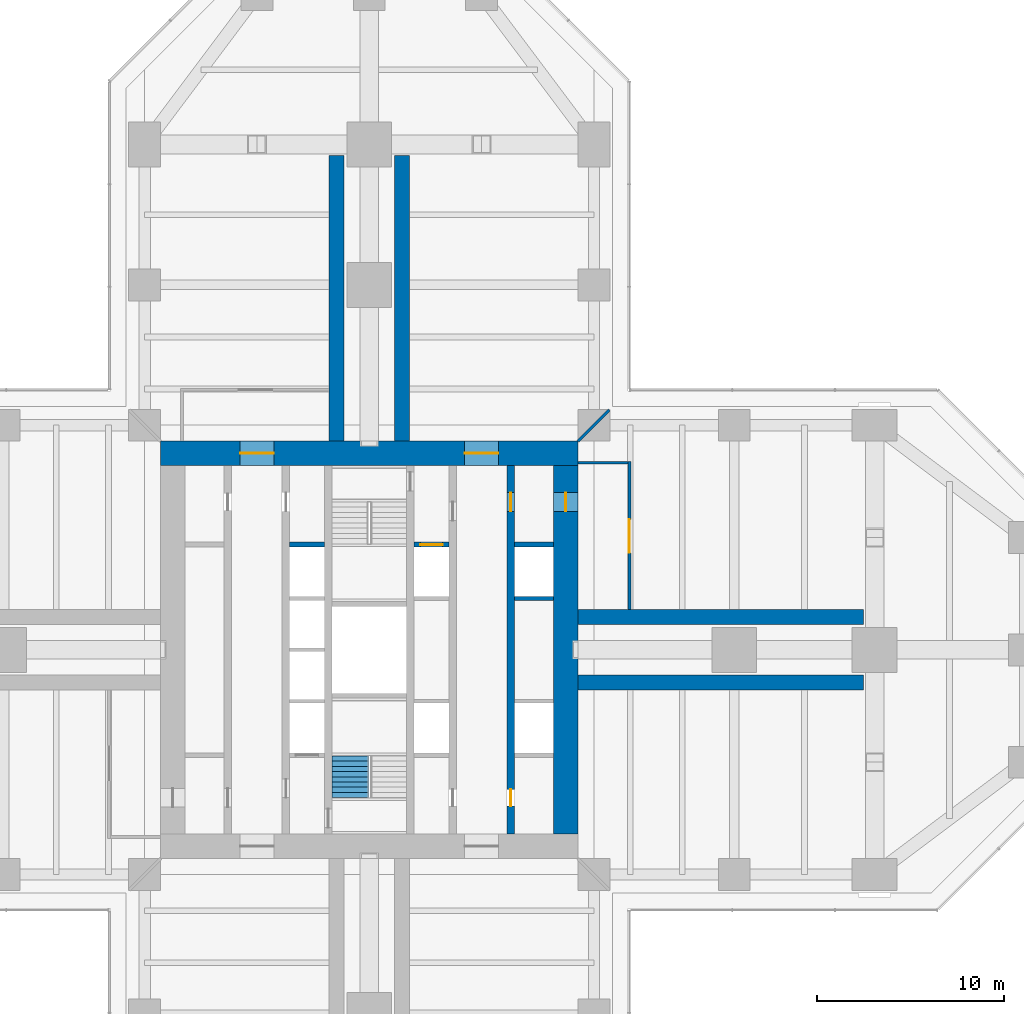
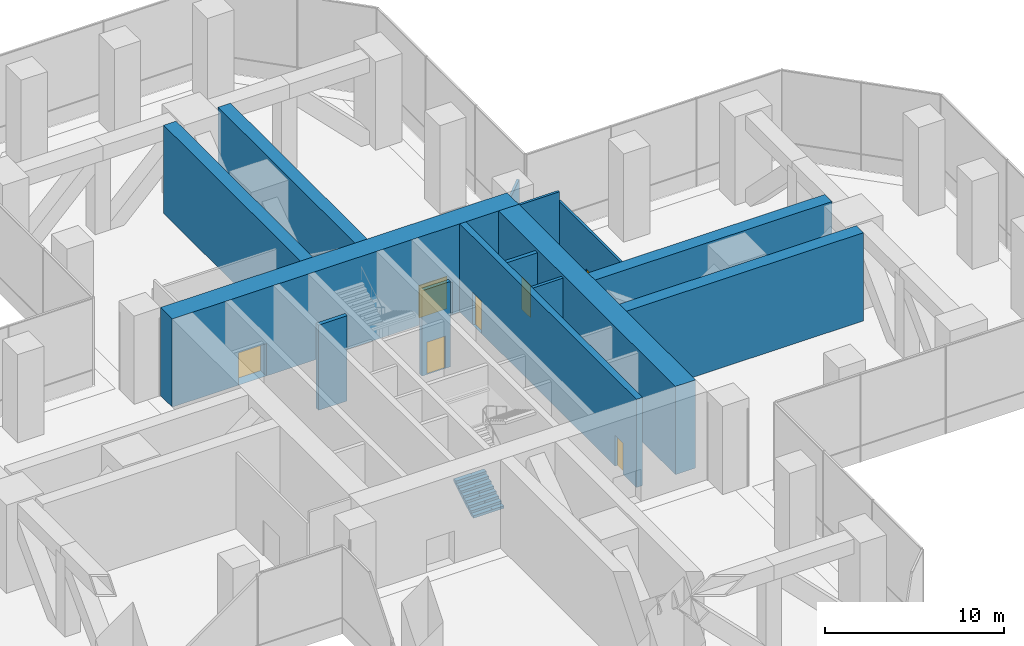
# One storey, part 16 of 20: 14 walls, 7 doors, 1 stair flight, 7 openings, 1 element without a shape of its own.
"""IFC4 building model written with IfcOpenShell, lengths in metres."""

from ifc_helpers import new_model, si_unit, direction, frame, frame_2d, origin, place, context, subcontext, project, spatial, polyline, rectangle, outline, extrude, material, layer, layer_set, type_object, element, fill, aggregate, save


model = new_model("IFC4")

# Units and contexts
model_context = context("Model", 3, precision=1e-05, world=origin(), true_north=direction((0.0, 1.0)))
body_context = subcontext(model_context, "Body", "Model", "MODEL_VIEW")
ifc_project = project(units=[si_unit("LENGTHUNIT", "METRE"), si_unit("AREAUNIT", "SQUARE_METRE"), si_unit("VOLUMEUNIT", "CUBIC_METRE"), si_unit("PLANEANGLEUNIT", "RADIAN"), si_unit("MASSUNIT", "GRAM", prefix="KILO")], contexts=[model_context])

# Site, building, storey
site_placement = place(None, origin())
site = spatial("IfcSite", under=ifc_project, at=site_placement, CompositionType="ELEMENT")
building_placement = place(site_placement, origin())
building = spatial("IfcBuilding", under=site, at=building_placement, Name="Mizan Broadcast Tower", CompositionType="ELEMENT")
storey_placement = place(building_placement, frame((0.0, 0.0, 118.199951171875)))
storey = spatial("IfcBuildingStorey", under=building, at=storey_placement, Name="L26", CompositionType="ELEMENT", Elevation=118.199951171875)

# Wall, openings, doors
ifc_material_1 = material(Name="Concrete C70/85", Category="concrete")
ifc_layer_1 = layer(ifc_material_1, 0.39990234375)
ifc_layer_set_1 = layer_set([ifc_layer_1], Name="Concrete C70/85")
wall_type_1 = type_object("IfcWallType", Name="CORE INTERNAL WALL 400", PredefinedType="SHEAR", material=ifc_layer_set_1)
wall_1_placement = place(storey_placement, frame((7.550048828125, 9.85009765625, 0.0), z_axis=(0.0, 0.0, 1.0), x_axis=(0.0, -1.0, 0.0)))
wall_1 = element("IfcWall", 1, at=wall_1_placement, inside=storey, type_object=wall_type_1, Name="Core wall CORE/XW1E", PredefinedType="SHEAR", context=body_context, shape_type="SweptSolid", body=[
    extrude(rectangle(XDim=19.7001953125, YDim=0.39990234375, at=frame_2d((9.85009765625, 0.0))), origin(), (0.0, 0.0, 1.0), 6.0),
])
opening_1_placement = place(wall_1_placement, frame((1.449951171875, 0.0, 0.0)))
opening_1 = element("IfcOpeningElement", 2, at=opening_1_placement, cuts=wall_1, Name="Opening D10F", PredefinedType="OPENING", context=body_context, shape_type="SweptSolid", body=[
    extrude(rectangle(XDim=1.0, YDim=2.199951171875, at=frame_2d((0.5, 1.10009765625))), frame((0.0, 0.2099609375, 0.0), z_axis=(0.0, -1.0, 0.0), x_axis=(1.0, 0.0, 0.0)), (0.0, 0.0, 1.0), 0.419921875),
])
opening_2_placement = place(wall_1_placement, frame((17.300048828125, 0.0, 0.0)))
opening_2 = element("IfcOpeningElement", 3, at=opening_2_placement, cuts=wall_1, Name="Opening D09", PredefinedType="OPENING", context=body_context, shape_type="SweptSolid", body=[
    extrude(rectangle(XDim=0.89990234375, YDim=2.10009765625, at=frame_2d((0.449951171875, 1.050048828125))), frame((0.0, 0.2099609375, 0.0), z_axis=(0.0, -1.0, 0.0), x_axis=(1.0, 0.0, 0.0)), (0.0, 0.0, 1.0), 0.419921875),
])
ifc_material_2 = material(Name="Steel door leaf in steel frame", Category="steel")
door_type_1 = type_object("IfcDoorType", Name="FIRE DOOR 1000 FD90", OperationType="SINGLE_SWING_LEFT", PredefinedType="DOOR", material=ifc_material_2)
door_1_placement = place(opening_1_placement, origin())
door_1 = element("IfcDoor", 4, at=door_1_placement, inside=storey, type_object=door_type_1, Name="East core passage door", OperationType="SINGLE_SWING_LEFT", OverallHeight=2.199951171875, OverallWidth=1.0, PredefinedType="DOOR", context=body_context, shape_type="SweptSolid", body=[
    extrude(rectangle(XDim=1.0, YDim=2.199951171875, at=frame_2d((0.5, 1.10009765625))), frame((0.0, 0.02490234375, 0.0), z_axis=(0.0, -1.0, 0.0), x_axis=(1.0, 0.0, 0.0)), (0.0, 0.0, 1.0), 0.050048828125),
])
fill(opening_1, door_1)
ifc_material_3 = material(Name="Timber door leaf in aluminium frame", Category="wood")
door_type_2 = type_object("IfcDoorType", Name="TOILET DOOR 900", OperationType="SINGLE_SWING_LEFT", PredefinedType="DOOR", material=ifc_material_3)
door_2_placement = place(opening_2_placement, origin())
door_2 = element("IfcDoor", 5, at=door_2_placement, inside=storey, type_object=door_type_2, Name="Female WC door", OperationType="SINGLE_SWING_RIGHT", OverallHeight=2.10009765625, OverallWidth=0.89990234375, PredefinedType="DOOR", context=body_context, shape_type="SweptSolid", body=[
    extrude(rectangle(XDim=0.89990234375, YDim=2.10009765625, at=frame_2d((0.449951171875, 1.050048828125))), frame((0.0, 0.02490234375, 0.0), z_axis=(0.0, -1.0, 0.0), x_axis=(1.0, 0.0, 0.0)), (0.0, 0.0, 1.0), 0.050048828125),
])
fill(opening_2, door_2)

ifc_material_4 = material(Name="Concrete C70/85", Category="concrete")
ifc_layer_2 = layer(ifc_material_4, 1.300048828125)
ifc_layer_set_2 = layer_set([ifc_layer_2], Name="Concrete C70/85")
wall_type_2 = type_object("IfcWallType", Name="CORE WALL 1300", PredefinedType="SHEAR", material=ifc_layer_set_2)
wall_2_placement = place(storey_placement, frame((-11.14990234375, 10.5, 0.0), z_axis=(0.0, 0.0, 1.0), x_axis=(1.0, 0.0, 0.0)))
wall_2 = element("IfcWall", 6, at=wall_2_placement, inside=storey, type_object=wall_type_2, Name="Core wall N L26", PredefinedType="SHEAR", context=body_context, shape_type="SweptSolid", body=[
    extrude(rectangle(XDim=22.2998046875, YDim=1.300048828125, at=frame_2d((11.14990234375, 0.0))), origin(), (0.0, 0.0, 1.0), 6.0),
])
opening_3_placement = place(wall_2_placement, frame((4.25, 0.0, 0.0)))
opening_3 = element("IfcOpeningElement", 7, at=opening_3_placement, cuts=wall_2, Name="Opening D18F", PredefinedType="OPENING", context=body_context, shape_type="SweptSolid", body=[
    extrude(rectangle(XDim=1.800048828125, YDim=2.199951171875, at=frame_2d((0.89990234375, 1.10009765625))), frame((0.0, 0.659912109375, 0.0), z_axis=(0.0, -1.0, 0.0), x_axis=(1.0, 0.0, 0.0)), (0.0, 0.0, 1.0), 1.320068359375),
])
opening_4_placement = place(wall_2_placement, frame((16.25, 0.0, 0.0)))
opening_4 = element("IfcOpeningElement", 8, at=opening_4_placement, cuts=wall_2, Name="Opening D18F", PredefinedType="OPENING", context=body_context, shape_type="SweptSolid", body=[
    extrude(rectangle(XDim=1.800048828125, YDim=2.199951171875, at=frame_2d((0.89990234375, 1.10009765625))), frame((0.0, 0.659912109375, 0.0), z_axis=(0.0, -1.0, 0.0), x_axis=(1.0, 0.0, 0.0)), (0.0, 0.0, 1.0), 1.320068359375),
])
ifc_material_5 = material(Name="Steel door leaf in steel frame", Category="steel")
door_type_3 = type_object("IfcDoorType", Name="LOBBY DOUBLE DOOR 1800 FD90", OperationType="DOUBLE_DOOR_DOUBLE_SWING", PredefinedType="DOOR", material=ifc_material_5)
door_3_placement = place(opening_3_placement, origin())
door_3 = element("IfcDoor", 9, at=door_3_placement, inside=storey, type_object=door_type_3, Name="West lift lobby north door", OperationType="DOUBLE_DOOR_DOUBLE_SWING", OverallHeight=2.199951171875, OverallWidth=1.800048828125, PredefinedType="DOOR", context=body_context, shape_type="SweptSolid", body=[
    extrude(rectangle(XDim=1.800048828125, YDim=2.199951171875, at=frame_2d((0.89990234375, 1.10009765625))), frame((0.0, 0.02490234375, 0.0), z_axis=(0.0, -1.0, 0.0), x_axis=(1.0, 0.0, 0.0)), (0.0, 0.0, 1.0), 0.050048828125),
])
fill(opening_3, door_3)
door_4_placement = place(opening_4_placement, origin())
door_4 = element("IfcDoor", 10, at=door_4_placement, inside=storey, type_object=door_type_3, Name="East lift lobby north door", OperationType="DOUBLE_DOOR_DOUBLE_SWING", OverallHeight=2.199951171875, OverallWidth=1.800048828125, PredefinedType="DOOR", context=body_context, shape_type="SweptSolid", body=[
    extrude(rectangle(XDim=1.800048828125, YDim=2.199951171875, at=frame_2d((0.89990234375, 1.10009765625))), frame((0.0, 0.02490234375, 0.0), z_axis=(0.0, -1.0, 0.0), x_axis=(1.0, 0.0, 0.0)), (0.0, 0.0, 1.0), 0.050048828125),
])
fill(opening_4, door_4)

# Wall, opening, door
wall_3_placement = place(storey_placement, frame((10.5, -9.85009765625, 0.0), z_axis=(0.0, 0.0, 1.0), x_axis=(0.0, 1.0, 0.0)))
wall_3 = element("IfcWall", 11, at=wall_3_placement, inside=storey, type_object=wall_type_2, Name="Core wall E L26", PredefinedType="SHEAR", context=body_context, shape_type="SweptSolid", body=[
    extrude(rectangle(XDim=19.7001953125, YDim=1.300048828125, at=frame_2d((9.85009765625, 0.0))), origin(), (0.0, 0.0, 1.0), 6.0),
])
opening_5_placement = place(wall_3_placement, frame((17.25, 0.0, 0.0)))
opening_5 = element("IfcOpeningElement", 12, at=opening_5_placement, cuts=wall_3, Name="Opening D10F", PredefinedType="OPENING", context=body_context, shape_type="SweptSolid", body=[
    extrude(rectangle(XDim=1.0, YDim=2.199951171875, at=frame_2d((0.5, 1.10009765625))), frame((0.0, 0.659912109375, 0.0), z_axis=(0.0, -1.0, 0.0), x_axis=(1.0, 0.0, 0.0)), (0.0, 0.0, 1.0), 1.320068359375),
])
door_5_placement = place(opening_5_placement, origin())
door_5 = element("IfcDoor", 13, at=door_5_placement, inside=storey, type_object=door_type_1, Name="East core passage arm door", OperationType="SINGLE_SWING_RIGHT", OverallHeight=2.199951171875, OverallWidth=1.0, PredefinedType="DOOR", context=body_context, shape_type="SweptSolid", body=[
    extrude(rectangle(XDim=1.0, YDim=2.199951171875, at=frame_2d((0.5, 1.10009765625))), frame((0.0, 0.02490234375, 0.0), z_axis=(0.0, -1.0, 0.0), x_axis=(1.0, 0.0, 0.0)), (0.0, 0.0, 1.0), 0.050048828125),
])
fill(opening_5, door_5)

# Walls
ifc_material_6 = material(Name="Concrete blockwork", Category="masonry")
ifc_layer_3 = layer(ifc_material_6, 0.199951171875)
ifc_layer_set_3 = layer_set([ifc_layer_3], Name="Concrete blockwork")
wall_type_3 = type_object("IfcWallType", Name="LIFT SHAFT WALL 200", PredefinedType="SOLIDWALL", material=ifc_layer_set_3)
wall_4_placement = place(storey_placement, frame((7.75, 2.75, 0.0), z_axis=(0.0, 0.0, 1.0), x_axis=(1.0, 0.0, 0.0)))
element("IfcWall", 14, at=wall_4_placement, inside=storey, type_object=wall_type_3, Name="Lift shaft wall CORE/SE1-3", PredefinedType="SOLIDWALL", context=body_context, shape_type="SweptSolid", body=[
    extrude(rectangle(XDim=2.10009765625, YDim=0.199951171875, at=frame_2d((1.050048828125, 0.0))), origin(), (0.0, 0.0, 1.0), 5.800048828125),
])
ifc_material_7 = material(Name="Concrete blockwork", Category="masonry")
ifc_layer_4 = layer(ifc_material_7, 0.25)
ifc_layer_set_4 = layer_set([ifc_layer_4], Name="Concrete blockwork")
wall_type_4 = type_object("IfcWallType", Name="LOBBY ENCLOSURE WALL 250", PredefinedType="SOLIDWALL", material=ifc_layer_set_4)
wall_5_placement = place(storey_placement, frame((-4.25, 5.625, 0.0), z_axis=(0.0, 0.0, 1.0), x_axis=(1.0, 0.0, 0.0)))
element("IfcWall", 15, at=wall_5_placement, inside=storey, type_object=wall_type_4, Name="Lobby enclosure wall CORE/BW2N", PredefinedType="SOLIDWALL", context=body_context, shape_type="SweptSolid", body=[
    extrude(rectangle(XDim=1.85009765625, YDim=0.25, at=frame_2d((0.925048828125, 0.0))), origin(), (0.0, 0.0, 1.0), 5.800048828125),
])

# Wall, opening, door
wall_6_placement = place(storey_placement, frame((2.39990234375, 5.625, 0.0), z_axis=(0.0, 0.0, 1.0), x_axis=(1.0, 0.0, 0.0)))
wall_6 = element("IfcWall", 16, at=wall_6_placement, inside=storey, type_object=wall_type_4, Name="Lobby enclosure wall CORE/BE2N", PredefinedType="SOLIDWALL", context=body_context, shape_type="SweptSolid", body=[
    extrude(rectangle(XDim=1.85009765625, YDim=0.25, at=frame_2d((0.925048828125, 0.0))), origin(), (0.0, 0.0, 1.0), 5.800048828125),
])
opening_6_placement = place(wall_6_placement, frame((0.324951171875, 0.0, 0.0)))
opening_6 = element("IfcOpeningElement", 17, at=opening_6_placement, cuts=wall_6, Name="Opening LDF", PredefinedType="OPENING", context=body_context, shape_type="SweptSolid", body=[
    extrude(rectangle(XDim=1.199951171875, YDim=2.199951171875, at=frame_2d((0.60009765625, 1.10009765625))), frame((0.0, 0.135009765625, 0.0), z_axis=(0.0, -1.0, 0.0), x_axis=(1.0, 0.0, 0.0)), (0.0, 0.0, 1.0), 0.27001953125),
])
ifc_material_8 = material(Name="Steel door leaf in steel frame", Category="steel")
door_type_4 = type_object("IfcDoorType", Name="FIREFIGHTING LIFT LANDING DOOR 1200", OperationType="SLIDING_TO_LEFT", PredefinedType="DOOR", material=ifc_material_8)
door_6_placement = place(opening_6_placement, origin())
door_6 = element("IfcDoor", 18, at=door_6_placement, inside=storey, type_object=door_type_4, Name="Landing door FF2", OperationType="SLIDING_TO_LEFT", OverallHeight=2.199951171875, OverallWidth=1.199951171875, PredefinedType="DOOR", context=body_context, shape_type="SweptSolid", body=[
    extrude(rectangle(XDim=1.199951171875, YDim=2.199951171875, at=frame_2d((0.60009765625, 1.10009765625))), frame((0.0, 0.02490234375, 0.0), z_axis=(0.0, -1.0, 0.0), x_axis=(1.0, 0.0, 0.0)), (0.0, 0.0, 1.0), 0.050048828125),
])
fill(opening_6, door_6)

# Walls
wall_7_placement = place(storey_placement, frame((7.75, 5.625, 0.0), z_axis=(0.0, 0.0, 1.0), x_axis=(1.0, 0.0, 0.0)))
element("IfcWall", 19, at=wall_7_placement, inside=storey, type_object=wall_type_4, Name="Lobby enclosure wall CORE/BE1N", PredefinedType="SOLIDWALL", context=body_context, shape_type="SweptSolid", body=[
    extrude(rectangle(XDim=2.10009765625, YDim=0.25, at=frame_2d((1.050048828125, 0.0))), origin(), (0.0, 0.0, 1.0), 5.800048828125),
])
ifc_material_9 = material(Name="Gypsum board on steel studs", Category="steel")
ifc_layer_5 = layer(ifc_material_9, 0.14990234375)
ifc_layer_set_5 = layer_set([ifc_layer_5], Name="Gypsum board on steel studs")
wall_type_5 = type_object("IfcWallType", Name="PARTITION 150", PredefinedType="PARTITIONING", material=ifc_layer_set_5)
wall_8_placement = place(storey_placement, frame((11.14990234375, 11.14990234375, 0.0), z_axis=(0.0, 0.0, 1.0), x_axis=(0.707106781187, 0.707106781187, 0.0)))
element("IfcWall", 20, at=wall_8_placement, inside=storey, type_object=wall_type_5, Name="Partition PT/DGEN", PredefinedType="PARTITIONING", context=body_context, shape_type="SweptSolid", body=[
    extrude(rectangle(XDim=2.362060546875, YDim=0.14990234375, at=frame_2d((1.18115234375, 0.0))), origin(), (0.0, 0.0, 1.0), 5.320068359375),
])

# Wall, opening, door
ifc_material_10 = material(Name="Concrete blockwork", Category="masonry")
ifc_layer_6 = layer(ifc_material_10, 0.14990234375)
ifc_layer_set_6 = layer_set([ifc_layer_6], Name="Concrete blockwork")
wall_type_6 = type_object("IfcWallType", Name="PLANT ROOM ENCLOSURE WALL 150", PredefinedType="SOLIDWALL", material=ifc_layer_set_6)
wall_9_placement = place(storey_placement, frame((13.89990234375, 2.14990234375, 0.0), z_axis=(0.0, 0.0, 1.0), x_axis=(0.0, 1.0, 0.0)))
wall_9 = element("IfcWall", 21, at=wall_9_placement, inside=storey, type_object=wall_type_6, Name="Plant room wall PT/ELU", PredefinedType="SOLIDWALL", context=body_context, shape_type="SweptSolid", body=[
    extrude(rectangle(XDim=7.925048828125, YDim=0.14990234375, at=frame_2d((3.96240234375, 0.0))), origin(), (0.0, 0.0, 1.0), 5.179931640625),
])
opening_7_placement = place(wall_9_placement, frame((3.02490234375, 0.0, 0.0)))
opening_7 = element("IfcOpeningElement", 22, at=opening_7_placement, cuts=wall_9, Name="Opening D18P", PredefinedType="OPENING", context=body_context, shape_type="SweptSolid", body=[
    extrude(rectangle(XDim=1.800048828125, YDim=2.39990234375, at=frame_2d((0.89990234375, 1.199951171875))), frame((0.0, 0.0849609375, 0.0), z_axis=(0.0, -1.0, 0.0), x_axis=(1.0, 0.0, 0.0)), (0.0, 0.0, 1.0), 0.169921875),
])
ifc_material_11 = material(Name="Steel door leaf in steel frame", Category="steel")
door_type_5 = type_object("IfcDoorType", Name="PLANT ROOM DOUBLE DOOR 1800x2400 FD90", OperationType="DOUBLE_DOOR_DOUBLE_SWING", PredefinedType="DOOR", material=ifc_material_11)
door_7_placement = place(opening_7_placement, origin())
door_7 = element("IfcDoor", 23, at=door_7_placement, inside=storey, type_object=door_type_5, Name="Mechanical plant room door", OperationType="DOUBLE_DOOR_DOUBLE_SWING", OverallHeight=2.39990234375, OverallWidth=1.800048828125, PredefinedType="DOOR", context=body_context, shape_type="SweptSolid", body=[
    extrude(rectangle(XDim=1.800048828125, YDim=2.39990234375, at=frame_2d((0.89990234375, 1.199951171875))), frame((0.0, 0.02490234375, 0.0), z_axis=(0.0, -1.0, 0.0), x_axis=(1.0, 0.0, 0.0)), (0.0, 0.0, 1.0), 0.050048828125),
])
fill(opening_7, door_7)

# Walls
wall_10_placement = place(storey_placement, frame((11.14990234375, 10.0, 0.0), z_axis=(0.0, 0.0, 1.0), x_axis=(1.0, 0.0, 0.0)))
element("IfcWall", 24, at=wall_10_placement, inside=storey, type_object=wall_type_6, Name="Plant room wall PT/ELV", PredefinedType="SOLIDWALL", context=body_context, shape_type="SweptSolid", body=[
    extrude(rectangle(XDim=2.675048828125, YDim=0.14990234375, at=frame_2d((1.33740234375, 0.0))), origin(), (0.0, 0.0, 1.0), 5.8701171875),
])
ifc_material_12 = material(Name="Concrete C70/85", Category="concrete")
ifc_layer_7 = layer(ifc_material_12, 0.800048828125)
ifc_layer_set_7 = layer_set([ifc_layer_7], Name="Concrete C70/85")
wall_type_7 = type_object("IfcWallType", Name="SPINE WALL 800", PredefinedType="SHEAR", material=ifc_layer_set_7)
for number, where, z_axis, x_axis, name in (
    (25, (11.14990234375, -1.75, 0.0), (0.0, 0.0, 1.0), (1.0, 0.0, 0.0), "Spine wall ER L26"),
    (26, (11.14990234375, 1.75, 0.0), (0.0, 0.0, 1.0), (1.0, 0.0, 0.0), "Spine wall EL L26"),
    (27, (1.75, 11.14990234375, 0.0), (0.0, 0.0, 1.0), (0.0, 1.0, 0.0), "Spine wall NR L26"),
    (28, (-1.75, 11.14990234375, 0.0), (0.0, 0.0, 1.0), (0.0, 1.0, 0.0), "Spine wall NL L26"),
):
    element("IfcWall", number, at=place(storey_placement, frame(where, z_axis=z_axis, x_axis=x_axis)), inside=storey, type_object=wall_type_7, Name=name, PredefinedType="SHEAR", context=body_context, shape_type="SweptSolid", body=[
        extrude(rectangle(XDim=15.25, YDim=0.800048828125, at=frame_2d((7.625, 0.0))), origin(), (0.0, 0.0, 1.0), 6.0),
    ])

# Stair, stair flight
ifc_material_13 = material(Name="Concrete C40/50", Category="concrete")
stair_type = type_object("IfcStairType", Name="EXIT STAIR", PredefinedType="HALF_TURN_STAIR", material=ifc_material_13)
stair_placement = place(storey_placement, origin())
stair = element("IfcStair", 29, at=stair_placement, inside=storey, type_object=stair_type, Name="Stair A L26", PredefinedType="HALF_TURN_STAIR")
ifc_material_14 = material(Name="Concrete C40/50", Category="concrete")
stair_flight_type = type_object("IfcStairFlightType", Name="EXIT STAIR FLIGHT", PredefinedType="STRAIGHT", material=ifc_material_14)
stair_flight_placement = place(storey_placement, frame((-1.02490234375, -7.89990234375, 0.0), z_axis=(0.0, 0.0, 1.0), x_axis=(0.0, 1.0, 0.0)))
stair_flight = element("IfcStairFlight", 30, at=stair_flight_placement, type_object=stair_flight_type, Name="A flight 1", NumberOfRisers=9, NumberOfTreads=8, PredefinedType="STRAIGHT", RiserHeight=0.166666667, TreadLength=0.28, context=body_context, shape_type="SweptSolid", body=[
    extrude(outline(polyline([(0.0, 0.0), (0.0, 0.166748046875), (0.280029296875, 0.166748046875), (0.280029296875, 0.333251953125), (0.56005859375, 0.333251953125), (0.56005859375, 0.5), (0.840087890625, 0.5), (0.840087890625, 0.666748046875), (1.1201171875, 0.666748046875), (1.1201171875, 0.833251953125), (1.39990234375, 0.833251953125), (1.39990234375, 1.0), (1.679931640625, 1.0), (1.679931640625, 1.166748046875), (1.9599609375, 1.166748046875), (1.9599609375, 1.333251953125), (2.239990234375, 1.333251953125), (2.239990234375, 1.5), (2.239990234375, 1.158935546875), (0.29296875, 0.0), (0.0, 0.0)])), frame((0.0, 0.97509765625, 0.0), z_axis=(0.0, -1.0, 0.0), x_axis=(1.0, 0.0, 0.0)), (0.0, 0.0, 1.0), 0.4873046875),
    extrude(outline(polyline([(0.0, 0.0), (0.0, 0.166748046875), (0.280029296875, 0.166748046875), (0.280029296875, 0.333251953125), (0.56005859375, 0.333251953125), (0.56005859375, 0.5), (0.840087890625, 0.5), (0.840087890625, 0.666748046875), (1.1201171875, 0.666748046875), (1.1201171875, 0.833251953125), (1.39990234375, 0.833251953125), (1.39990234375, 1.0), (1.679931640625, 1.0), (1.679931640625, 1.166748046875), (1.9599609375, 1.166748046875), (1.9599609375, 1.333251953125), (2.239990234375, 1.333251953125), (2.239990234375, 1.5), (2.239990234375, 1.158935546875), (0.29296875, 0.0), (0.0, 0.0)])), frame((0.0, 0.4873046875, 0.0), z_axis=(0.0, -1.0, 0.0), x_axis=(1.0, 0.0, 0.0)), (0.0, 0.0, 1.0), 0.2431640625),
    extrude(outline(polyline([(0.0, 0.0), (0.0, 0.166748046875), (0.280029296875, 0.166748046875), (0.280029296875, 0.333251953125), (0.56005859375, 0.333251953125), (0.56005859375, 0.5), (0.840087890625, 0.5), (0.840087890625, 0.666748046875), (1.1201171875, 0.666748046875), (1.1201171875, 0.833251953125), (1.39990234375, 0.833251953125), (1.39990234375, 1.0), (1.679931640625, 1.0), (1.679931640625, 1.166748046875), (1.9599609375, 1.166748046875), (1.9599609375, 1.333251953125), (2.239990234375, 1.333251953125), (2.239990234375, 1.5), (2.239990234375, 1.158935546875), (0.29296875, 0.0), (0.0, 0.0)])), frame((0.0, 0.24365234375, 0.0), z_axis=(0.0, -1.0, 0.0), x_axis=(1.0, 0.0, 0.0)), (0.0, 0.0, 1.0), 0.121337890625),
    extrude(outline(polyline([(0.0, 0.0), (0.0, 0.166748046875), (0.280029296875, 0.166748046875), (0.280029296875, 0.333251953125), (0.56005859375, 0.333251953125), (0.56005859375, 0.5), (0.840087890625, 0.5), (0.840087890625, 0.666748046875), (1.1201171875, 0.666748046875), (1.1201171875, 0.833251953125), (1.39990234375, 0.833251953125), (1.39990234375, 1.0), (1.679931640625, 1.0), (1.679931640625, 1.166748046875), (1.9599609375, 1.166748046875), (1.9599609375, 1.333251953125), (2.239990234375, 1.333251953125), (2.239990234375, 1.5), (2.239990234375, 1.158935546875), (0.29296875, 0.0), (0.0, 0.0)])), frame((0.0, 0.121826171875, 0.0), z_axis=(0.0, -1.0, 0.0), x_axis=(1.0, 0.0, 0.0)), (0.0, 0.0, 1.0), 0.060546875),
    extrude(outline(polyline([(0.0, 0.0), (0.0, 0.166748046875), (0.280029296875, 0.166748046875), (0.280029296875, 0.333251953125), (0.56005859375, 0.333251953125), (0.56005859375, 0.5), (0.840087890625, 0.5), (0.840087890625, 0.666748046875), (1.1201171875, 0.666748046875), (1.1201171875, 0.833251953125), (1.39990234375, 0.833251953125), (1.39990234375, 1.0), (1.679931640625, 1.0), (1.679931640625, 1.166748046875), (1.9599609375, 1.166748046875), (1.9599609375, 1.333251953125), (2.239990234375, 1.333251953125), (2.239990234375, 1.5), (2.239990234375, 1.158935546875), (0.29296875, 0.0), (0.0, 0.0)])), frame((0.0, 0.060791015625, 0.0), z_axis=(0.0, -1.0, 0.0), x_axis=(1.0, 0.0, 0.0)), (0.0, 0.0, 1.0), 0.030029296875),
    extrude(outline(polyline([(0.0, 0.0), (0.0, 0.166748046875), (0.280029296875, 0.166748046875), (0.280029296875, 0.333251953125), (0.56005859375, 0.333251953125), (0.56005859375, 0.5), (0.840087890625, 0.5), (0.840087890625, 0.666748046875), (1.1201171875, 0.666748046875), (1.1201171875, 0.833251953125), (1.39990234375, 0.833251953125), (1.39990234375, 1.0), (1.679931640625, 1.0), (1.679931640625, 1.166748046875), (1.9599609375, 1.166748046875), (1.9599609375, 1.333251953125), (2.239990234375, 1.333251953125), (2.239990234375, 1.5), (2.239990234375, 1.158935546875), (0.29296875, 0.0), (0.0, 0.0)])), frame((0.0, 0.0302734375, 0.0), z_axis=(0.0, -1.0, 0.0), x_axis=(1.0, 0.0, 0.0)), (0.0, 0.0, 1.0), 0.060302734375),
    extrude(outline(polyline([(0.0, 0.0), (0.0, 0.166748046875), (0.280029296875, 0.166748046875), (0.280029296875, 0.333251953125), (0.56005859375, 0.333251953125), (0.56005859375, 0.5), (0.840087890625, 0.5), (0.840087890625, 0.666748046875), (1.1201171875, 0.666748046875), (1.1201171875, 0.833251953125), (1.39990234375, 0.833251953125), (1.39990234375, 1.0), (1.679931640625, 1.0), (1.679931640625, 1.166748046875), (1.9599609375, 1.166748046875), (1.9599609375, 1.333251953125), (2.239990234375, 1.333251953125), (2.239990234375, 1.5), (2.239990234375, 1.158935546875), (0.29296875, 0.0), (0.0, 0.0)])), frame((0.0, -0.030517578125, 0.0), z_axis=(0.0, -1.0, 0.0), x_axis=(1.0, 0.0, 0.0)), (0.0, 0.0, 1.0), 0.030029296875),
    extrude(outline(polyline([(0.0, 0.0), (0.0, 0.166748046875), (0.280029296875, 0.166748046875), (0.280029296875, 0.333251953125), (0.56005859375, 0.333251953125), (0.56005859375, 0.5), (0.840087890625, 0.5), (0.840087890625, 0.666748046875), (1.1201171875, 0.666748046875), (1.1201171875, 0.833251953125), (1.39990234375, 0.833251953125), (1.39990234375, 1.0), (1.679931640625, 1.0), (1.679931640625, 1.166748046875), (1.9599609375, 1.166748046875), (1.9599609375, 1.333251953125), (2.239990234375, 1.333251953125), (2.239990234375, 1.5), (2.239990234375, 1.158935546875), (0.29296875, 0.0), (0.0, 0.0)])), frame((0.0, -0.06103515625, 0.0), z_axis=(0.0, -1.0, 0.0), x_axis=(1.0, 0.0, 0.0)), (0.0, 0.0, 1.0), 0.060546875),
    extrude(outline(polyline([(0.0, 0.0), (0.0, 0.166748046875), (0.280029296875, 0.166748046875), (0.280029296875, 0.333251953125), (0.56005859375, 0.333251953125), (0.56005859375, 0.5), (0.840087890625, 0.5), (0.840087890625, 0.666748046875), (1.1201171875, 0.666748046875), (1.1201171875, 0.833251953125), (1.39990234375, 0.833251953125), (1.39990234375, 1.0), (1.679931640625, 1.0), (1.679931640625, 1.166748046875), (1.9599609375, 1.166748046875), (1.9599609375, 1.333251953125), (2.239990234375, 1.333251953125), (2.239990234375, 1.5), (2.239990234375, 1.158935546875), (0.29296875, 0.0), (0.0, 0.0)])), frame((0.0, -0.1220703125, 0.0), z_axis=(0.0, -1.0, 0.0), x_axis=(1.0, 0.0, 0.0)), (0.0, 0.0, 1.0), 0.121337890625),
    extrude(outline(polyline([(0.0, 0.0), (0.0, 0.166748046875), (0.280029296875, 0.166748046875), (0.280029296875, 0.333251953125), (0.56005859375, 0.333251953125), (0.56005859375, 0.5), (0.840087890625, 0.5), (0.840087890625, 0.666748046875), (1.1201171875, 0.666748046875), (1.1201171875, 0.833251953125), (1.39990234375, 0.833251953125), (1.39990234375, 1.0), (1.679931640625, 1.0), (1.679931640625, 1.166748046875), (1.9599609375, 1.166748046875), (1.9599609375, 1.333251953125), (2.239990234375, 1.333251953125), (2.239990234375, 1.5), (2.239990234375, 1.158935546875), (0.29296875, 0.0), (0.0, 0.0)])), frame((0.0, -0.243896484375, 0.0), z_axis=(0.0, -1.0, 0.0), x_axis=(1.0, 0.0, 0.0)), (0.0, 0.0, 1.0), 0.2431640625),
    extrude(outline(polyline([(0.0, 0.0), (0.0, 0.166748046875), (0.280029296875, 0.166748046875), (0.280029296875, 0.333251953125), (0.56005859375, 0.333251953125), (0.56005859375, 0.5), (0.840087890625, 0.5), (0.840087890625, 0.666748046875), (1.1201171875, 0.666748046875), (1.1201171875, 0.833251953125), (1.39990234375, 0.833251953125), (1.39990234375, 1.0), (1.679931640625, 1.0), (1.679931640625, 1.166748046875), (1.9599609375, 1.166748046875), (1.9599609375, 1.333251953125), (2.239990234375, 1.333251953125), (2.239990234375, 1.5), (2.239990234375, 1.158935546875), (0.29296875, 0.0), (0.0, 0.0)])), frame((0.0, -0.487548828125, 0.0), z_axis=(0.0, -1.0, 0.0), x_axis=(1.0, 0.0, 0.0)), (0.0, 0.0, 1.0), 0.4873046875),
])
aggregate(stair, [stair_flight])

save(model, "model.ifc")
